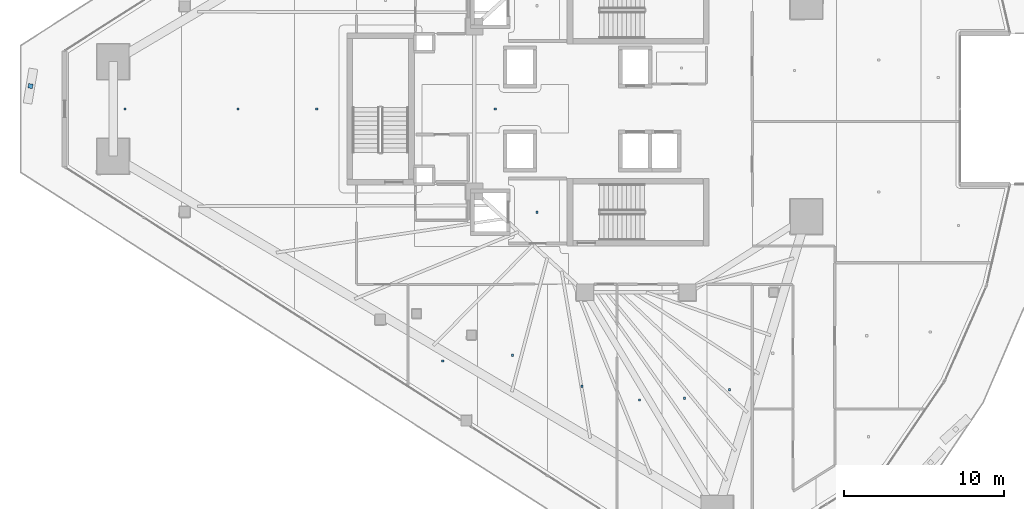
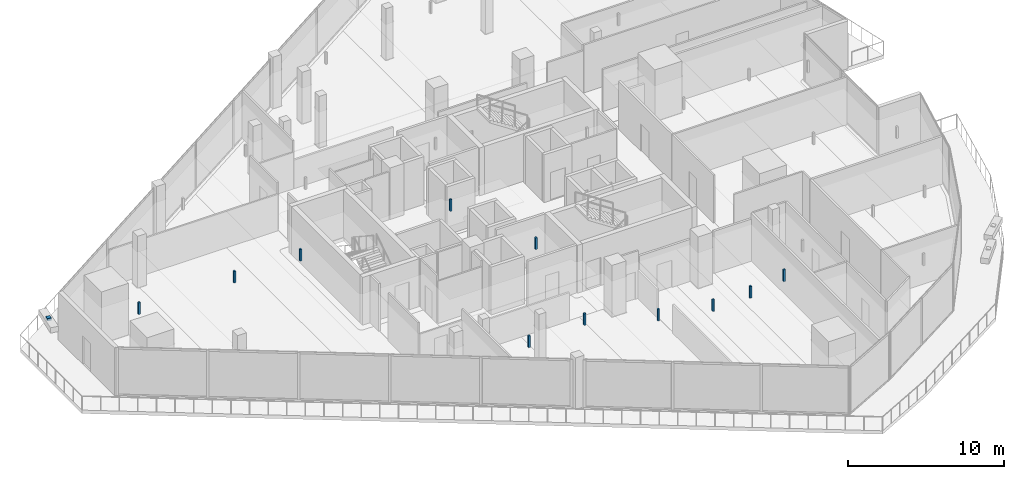
# One storey, part 27 of 36: 12 discrete accessories.
"""IFC4 building model written with IfcOpenShell, lengths in metres."""

from ifc_helpers import new_model, si_unit, direction, frame, origin, origin_2d, place, context, subcontext, project, spatial, rectangle, extrude, material, type_object, element, save


model = new_model("IFC4")

# Units and contexts
model_context = context("Model", 3, precision=1e-05, world=origin(), true_north=direction((0.0, 1.0)))
body_context = subcontext(model_context, "Body", "Model", "MODEL_VIEW")
ifc_project = project(units=[si_unit("LENGTHUNIT", "METRE"), si_unit("AREAUNIT", "SQUARE_METRE"), si_unit("VOLUMEUNIT", "CUBIC_METRE"), si_unit("PLANEANGLEUNIT", "RADIAN"), si_unit("MASSUNIT", "GRAM", prefix="KILO")], contexts=[model_context])

# Site, building, storey
site_placement = place(None, origin())
site = spatial("IfcSite", under=ifc_project, at=site_placement, CompositionType="ELEMENT")
building_placement = place(site_placement, origin())
building = spatial("IfcBuilding", under=site, at=building_placement, Name="Qorvath Tower", CompositionType="ELEMENT")
storey_placement = place(building_placement, frame((0.0, 0.0, 170.550048828125)))
storey = spatial("IfcBuildingStorey", under=building, at=storey_placement, Name="L39", CompositionType="ELEMENT", Elevation=170.550048828125)

# Discrete accessories
ifc_material = material(Name="Galvanised steel bracket", Category="steel")
discrete_accessory_type = type_object("IfcDiscreteAccessoryType", Name="DA-BRACKET", PredefinedType="BRACKET", material=ifc_material)
discrete_accessory_placement = place(storey_placement, frame((-58.21484375, 1.427001953125, 3.60986328125), z_axis=(0.0, 0.0, 1.0), x_axis=(-0.165913402883, -0.986140326092, 0.0)))
element("IfcDiscreteAccessory", 1, at=discrete_accessory_placement, inside=storey, type_object=discrete_accessory_type, Name="Louvre Wave Support Bracket L39-01", PredefinedType="NOTDEFINED", context=body_context, shape_type="SweptSolid", body=[
    extrude(rectangle(XDim=0.280029296875, YDim=0.280029296875, at=origin_2d()), origin(), (0.0, 0.0, 1.0), 0.199951171875),
])
for number, where, z_axis, x_axis, name in (
    (2, (-26.590087890625, -6.449951171875, 2.85986328125), (0.0, 0.0, 1.0), (1.0, 0.0, 0.0), "Acoustic Ceiling Suspension Hanger T1-L39-002"),
    (3, (-29.19091796875, 0.0, 2.85986328125), (0.0, 0.0, 1.0), (1.0, 0.0, 0.0), "Acoustic Ceiling Suspension Hanger T1-L39-009"),
    (4, (-32.4697265625, -15.743896484375, 2.85986328125), (0.0, 0.0, 1.0), (1.0, 0.0, 0.0), "Acoustic Ceiling Suspension Hanger T1-L39-013"),
    (5, (-28.118896484375, -15.38232421875, 2.85986328125), (0.0, 0.0, 1.0), (1.0, 0.0, 0.0), "Acoustic Ceiling Suspension Hanger T1-L39-014"),
    (6, (-23.771240234375, -17.316650390625, 2.85986328125), (0.0, 0.0, 1.0), (1.0, 0.0, 0.0), "Acoustic Ceiling Suspension Hanger T1-L39-015"),
    (7, (-20.179931640625, -18.167724609375, 2.85986328125), (0.0, 0.0, 1.0), (1.0, 0.0, 0.0), "Acoustic Ceiling Suspension Hanger T1-L39-016"),
    (8, (-17.3720703125, -18.0693359375, 2.85986328125), (0.0, 0.0, 1.0), (1.0, 0.0, 0.0), "Acoustic Ceiling Suspension Hanger T1-L39-017"),
    (9, (-14.560791015625, -17.533447265625, 2.85986328125), (0.0, 0.0, 1.0), (1.0, 0.0, 0.0), "Acoustic Ceiling Suspension Hanger T1-L39-018"),
    (10, (-52.312744140625, 0.0, 2.85986328125), (0.0, 0.0, 1.0), (1.0, 0.0, 0.0), "Acoustic Ceiling Suspension Hanger T1-L39-033"),
    (11, (-45.25341796875, -0.00732421875, 2.85986328125), (0.0, 0.0, 1.0), (1.0, 0.0, 0.0), "Acoustic Ceiling Suspension Hanger T1-L39-034"),
    (12, (-40.336669921875, 0.0, 2.85986328125), (0.0, 0.0, 1.0), (1.0, 0.0, 0.0), "Acoustic Ceiling Suspension Hanger T1-L39-035"),
):
    element("IfcDiscreteAccessory", number, at=place(storey_placement, frame(where, z_axis=z_axis, x_axis=x_axis)), inside=storey, type_object=discrete_accessory_type, Name=name, PredefinedType="NOTDEFINED", context=body_context, shape_type="SweptSolid", body=[
        extrude(rectangle(XDim=0.139892578125, YDim=0.139892578125, at=origin_2d()), origin(), (0.0, 0.0, 1.0), 0.920166015625),
    ])

save(model, "model.ifc")
